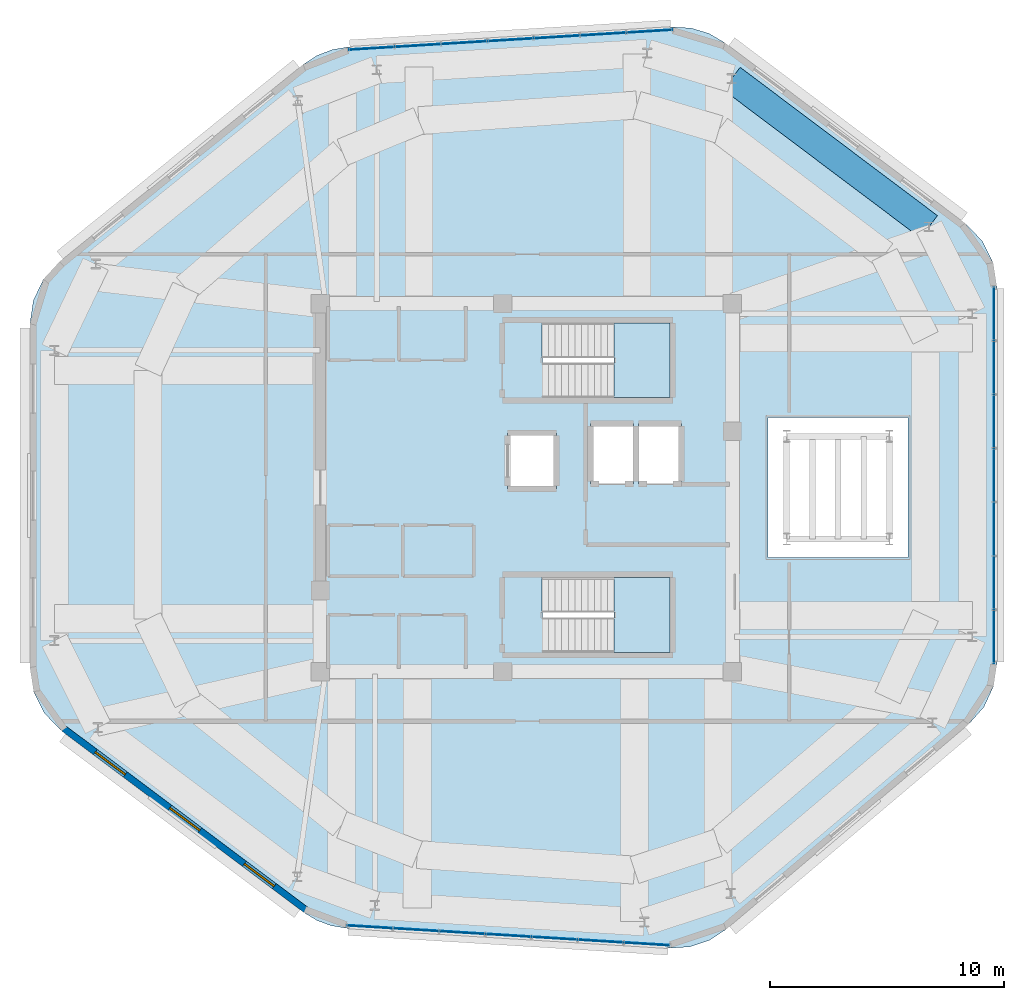
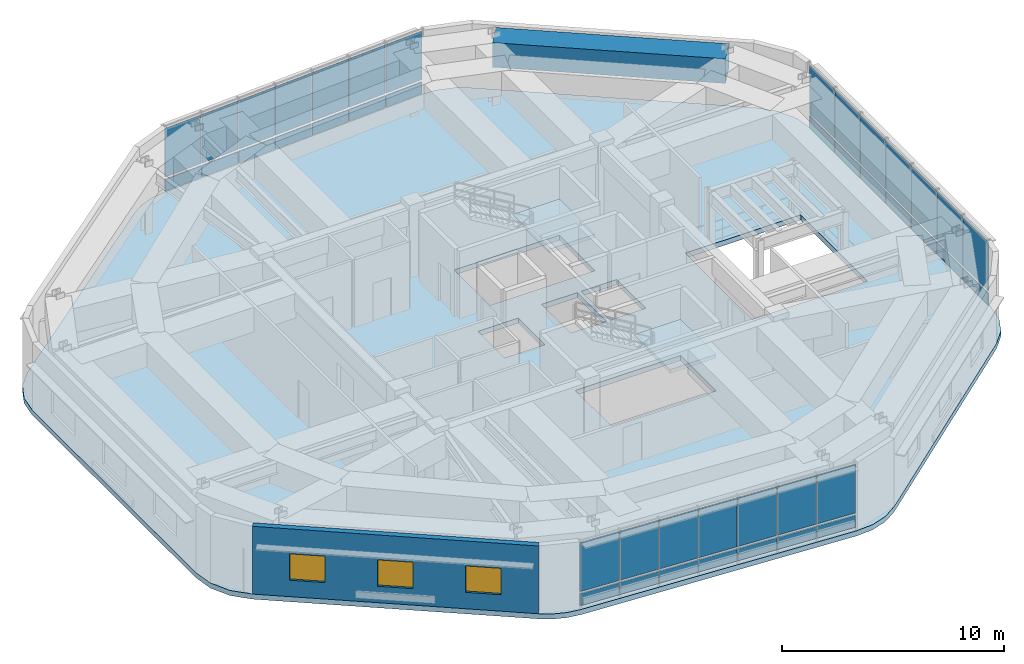
# One storey, part 13 of 17: 42 plates, 3 slabs, 3 windows, 1 beam, 1 wall, 3 openings, 5 elements without a shape of their own.
"""IFC4 building model written with IfcOpenShell, lengths in metres."""

import ifcopenshell
import ifcopenshell.guid

model = None  # the IFC model being written
_history = None  # IfcOwnerHistory: only IFC2X3 demands one
_inside = {}  # id of a spatial element -> (the spatial element, [elements in it])
_under = {}  # id of a project, library or spatial element -> (it, [spatial elements below it])
_declared = {}  # id of a project -> (the project, [libraries it declares])
_typed = {}  # id of a type object -> (the type object, [elements of that type])
_made_of = {}  # id of a material, layer set ... -> (it, [elements and type objects made of it])


def new_model(schema):
    """Start an empty IFC model of exactly this schema.

    Asked for "IFC4X3", IfcOpenShell would pick the latest addendum, in which some entities
    have other attributes; the version numbers below select the first issue.
    IFC2X3 requires an IfcOwnerHistory on every rooted entity: one is made here for all.
    """
    global model, _history
    if schema == "IFC4X3":
        model = ifcopenshell.file(schema_version=(4, 3, 0, 0))
    else:
        model = ifcopenshell.file(schema=schema)
    _inside.clear()
    _under.clear()
    _declared.clear()
    _typed.clear()
    _made_of.clear()
    _history = None
    if model.schema == "IFC2X3":
        org = make("IfcOrganization", Name="unknown")
        user = make(
            "IfcPersonAndOrganization",
            ThePerson=make("IfcPerson", FamilyName="unknown"),
            TheOrganization=org,
        )
        app = make(
            "IfcApplication",
            ApplicationDeveloper=org,
            Version="unknown",
            ApplicationFullName="unknown",
            ApplicationIdentifier="unknown",
        )
        _history = make(
            "IfcOwnerHistory",
            OwningUser=user,
            OwningApplication=app,
            ChangeAction="ADDED",
            CreationDate=0,
        )
    return model


def make(cls, **values):
    """One entity of the class cls with the attributes given. An attribute that is None is left unset."""
    return model.create_entity(
        cls, **{name: value for name, value in values.items() if value is not None}
    )


def rooted(cls, **values):
    """An entity with a GlobalId (a new one), such as an element, a storey or a relation."""
    return make(cls, GlobalId=ifcopenshell.guid.new(), OwnerHistory=_history, **values)


def si_unit(unit_type, name, prefix=None):
    """IfcSIUnit, for example si_unit("LENGTHUNIT", "METRE", prefix="MILLI")."""
    return make("IfcSIUnit", UnitType=unit_type, Prefix=prefix, Name=name)


def assignment(units):
    """IfcUnitAssignment: the units of a project."""
    return None if units is None else make("IfcUnitAssignment", Units=units)


def point(xyz):
    """IfcCartesianPoint."""
    return None if xyz is None else make("IfcCartesianPoint", Coordinates=xyz)


def direction(xyz):
    """IfcDirection."""
    return None if xyz is None else make("IfcDirection", DirectionRatios=xyz)


def frame(location, z_axis=None, x_axis=None):
    """IfcAxis2Placement3D, a coordinate frame: its origin and axes. An axis left out is left unset."""
    return make(
        "IfcAxis2Placement3D",
        Location=point(location),
        Axis=direction(z_axis),
        RefDirection=direction(x_axis),
    )


def frame_2d(location, x_axis=None):
    """IfcAxis2Placement2D, a coordinate frame in the plane: its origin and x axis."""
    return make(
        "IfcAxis2Placement2D", Location=point(location), RefDirection=direction(x_axis)
    )


def origin():
    """The frame at (0, 0, 0) with its axes left unset."""
    return frame((0.0, 0.0, 0.0))


def origin_2d():
    """The frame at (0, 0) in the plane with its x axis left unset."""
    return frame_2d((0.0, 0.0))


def place(relative_to, where):
    """IfcLocalPlacement: puts the frame where relative to a parent placement (None: the world)."""
    return make(
        "IfcLocalPlacement", PlacementRelTo=relative_to, RelativePlacement=where
    )


def context(
    kind, dimensions, precision=None, world=None, true_north=None, identifier=None
):
    """IfcGeometricRepresentationContext, for example the 3D "Model" context."""
    return make(
        "IfcGeometricRepresentationContext",
        ContextIdentifier=identifier,
        ContextType=kind,
        CoordinateSpaceDimension=dimensions,
        Precision=precision,
        WorldCoordinateSystem=world,
        TrueNorth=true_north,
    )


def subcontext(parent, identifier, kind, view, scale=None):
    """IfcGeometricRepresentationSubContext, for example "Body" below "Model"."""
    return make(
        "IfcGeometricRepresentationSubContext",
        ContextIdentifier=identifier,
        ContextType=kind,
        ParentContext=parent,
        TargetScale=scale,
        TargetView=view,
    )


def project(units=None, contexts=None):
    """IfcProject with its units and contexts."""
    return rooted(
        "IfcProject",
        Name="project",
        RepresentationContexts=contexts,
        UnitsInContext=assignment(units),
    )


def spatial(cls, under=None, at=None, **own):
    """A site, building, storey or space (cls), placed at a placement, below another one or the project."""
    s = rooted(cls, ObjectPlacement=at, **own)
    if under is not None:
        _under.setdefault(under.id(), (under, []))[1].append(s)
    return s


def polyline(points):
    """IfcPolyline through the points."""
    return make("IfcPolyline", Points=[point(p) for p in points])


def profile(cls, at=None, kind="AREA", **sizes):
    """A parametric profile (cls). Its sizes go by their IFC names, for example OverallWidth=200.0."""
    return make(cls, ProfileType=kind, Position=at, **sizes)


def rectangle(**sizes):
    """IfcRectangleProfileDef."""
    return profile("IfcRectangleProfileDef", **sizes)


def outline(outer, holes=None, kind="AREA"):
    """IfcArbitraryClosedProfileDef: a profile drawn as a closed curve; with holes, ...WithVoids."""
    if holes is None:
        return make("IfcArbitraryClosedProfileDef", ProfileType=kind, OuterCurve=outer)
    return make(
        "IfcArbitraryProfileDefWithVoids",
        ProfileType=kind,
        OuterCurve=outer,
        InnerCurves=holes,
    )


def extrude(swept, where, along, depth):
    """IfcExtrudedAreaSolid: the profile swept, set in the frame where, extruded along a direction by depth."""
    return make(
        "IfcExtrudedAreaSolid",
        SweptArea=swept,
        Position=where,
        ExtrudedDirection=direction(along),
        Depth=depth,
    )


def shape(context_of_items, identifier, shape_type, items):
    """IfcShapeRepresentation: the items that make up one representation, for example the "Body"."""
    return make(
        "IfcShapeRepresentation",
        ContextOfItems=context_of_items,
        RepresentationIdentifier=identifier,
        RepresentationType=shape_type,
        Items=items,
    )


def material(Name=None, Category=None):
    """IfcMaterial."""
    return make("IfcMaterial", Name=Name, Category=Category)


def layer(
    of_material, thickness, ventilated=None, Name=None, Category=None, Priority=None
):
    """IfcMaterialLayer: one layer of a wall or slab, of a material (None: an air gap)."""
    return make(
        "IfcMaterialLayer",
        Material=of_material,
        LayerThickness=thickness,
        IsVentilated=ventilated,
        Name=Name,
        Category=Category,
        Priority=Priority,
    )


def layer_set(layers, Name=None):
    """IfcMaterialLayerSet."""
    return make("IfcMaterialLayerSet", MaterialLayers=layers, LayerSetName=Name)


def material_profile(
    of_material, cross_section, Name=None, Category=None, Priority=None
):
    """IfcMaterialProfile: a cross section and its material."""
    return make(
        "IfcMaterialProfile",
        Name=Name,
        Material=of_material,
        Profile=cross_section,
        Priority=Priority,
        Category=Category,
    )


def profile_set(profiles, Name=None, composite=None):
    """IfcMaterialProfileSet."""
    return make(
        "IfcMaterialProfileSet",
        Name=Name,
        MaterialProfiles=profiles,
        CompositeProfile=composite,
    )


def made_of(thing, what):
    """Note that an element or type object is made of a material, layer set ...; save() writes the relation."""
    if what is not None:
        _made_of.setdefault(what.id(), (what, []))[1].append(thing)
    return thing


def type_object(cls, material=None, **own):
    """A type object (cls), such as IfcWallType, which elements share."""
    return made_of(rooted(cls, **own), material)


def element(
    cls,
    number,
    at=None,
    inside=None,
    cuts=None,
    type_object=None,
    material=None,
    context=None,
    identifier="Body",
    shape_type=None,
    held_by="IfcProductDefinitionShape",
    body=None,
    shapes=None,
    **own,
):
    """One element of the class cls, such as IfcWall. Its Tag is "e" and its number.

    at: its placement. inside: the storey or other place that contains it. cuts: it is an
    opening in that element (IfcRelVoidsElement). A single representation is given by context,
    identifier, shape_type and body (its items); several are given by shapes. held_by: the class
    of the entity that holds the representations. save() writes the other relations.
    """
    e = rooted(cls, Tag="e%d" % number, ObjectPlacement=at, **own)
    if body is not None:
        shapes = [shape(context, identifier, shape_type, body)]
    if shapes is not None:
        e.Representation = make(held_by, Representations=shapes)
    if inside is not None:
        _inside.setdefault(inside.id(), (inside, []))[1].append(e)
    if cuts is not None:
        rooted(
            "IfcRelVoidsElement", RelatingBuildingElement=cuts, RelatedOpeningElement=e
        )
    if type_object is not None:
        _typed.setdefault(type_object.id(), (type_object, []))[1].append(e)
    return made_of(e, material)


def fill(opening, filler):
    """IfcRelFillsElement: the door or window that sits in an opening."""
    return rooted(
        "IfcRelFillsElement",
        RelatingOpeningElement=opening,
        RelatedBuildingElement=filler,
    )


def aggregate(whole, parts):
    """IfcRelAggregates: a whole, such as a stair, and the parts it consists of."""
    return rooted("IfcRelAggregates", RelatingObject=whole, RelatedObjects=parts)


def save(model, path):
    """Write the relations noted so far, then the file.

    IfcRelAggregates (storeys below a building ...), IfcRelContainedInSpatialStructure (elements
    in a storey), IfcRelDefinesByType, IfcRelAssociatesMaterial and IfcRelDeclares: one each for
    every whole, place, type object, material and project.
    """
    for whole, parts in _under.values():
        aggregate(whole, parts)
    for where, things in _inside.values():
        rooted(
            "IfcRelContainedInSpatialStructure",
            RelatedElements=things,
            RelatingStructure=where,
        )
    for kind, things in _typed.values():
        rooted("IfcRelDefinesByType", RelatedObjects=things, RelatingType=kind)
    for what, things in _made_of.values():
        rooted("IfcRelAssociatesMaterial", RelatedObjects=things, RelatingMaterial=what)
    for by, libraries in _declared.values():
        rooted("IfcRelDeclares", RelatingContext=by, RelatedDefinitions=libraries)
    model.write(path)


model = new_model("IFC4")

# Units and contexts
model_context = context("Model", 3, precision=1e-05, world=origin(), true_north=direction((0.0, 1.0)))
body_context = subcontext(model_context, "Body", "Model", "MODEL_VIEW")
ifc_project = project(units=[si_unit("LENGTHUNIT", "METRE"), si_unit("AREAUNIT", "SQUARE_METRE"), si_unit("VOLUMEUNIT", "CUBIC_METRE"), si_unit("PLANEANGLEUNIT", "RADIAN"), si_unit("MASSUNIT", "GRAM", prefix="KILO")], contexts=[model_context])

# Site, building, storey
site_placement = place(None, origin())
site = spatial("IfcSite", under=ifc_project, at=site_placement, CompositionType="ELEMENT")
building_placement = place(site_placement, origin())
building = spatial("IfcBuilding", under=site, at=building_placement, Name="Zulverin Broadcast Headquarters", CompositionType="ELEMENT")
storey_placement = place(building_placement, frame((0.0, 0.0, 317.39990234375)))
storey = spatial("IfcBuildingStorey", under=building, at=storey_placement, Name="C2", CompositionType="ELEMENT", Elevation=317.39990234375)

# Beam
ifc_material_1 = material(Name="Concrete C50/60", Category="concrete")
ifc_material_profile = material_profile(ifc_material_1, rectangle(XDim=1.199951171875, YDim=1.35009765625, at=origin_2d()), Name="Concrete C50/60", Category="concrete")
ifc_profile_set = profile_set([ifc_material_profile], Name="Concrete C50/60")
beam_type = type_object("IfcBeamType", Name="BM-TG-CRN-1350", PredefinedType="USERDEFINED", material=ifc_profile_set)
beam_placement = place(storey_placement, frame((56.692626953125, 36.36767578125, 3.045166015625), z_axis=(-0.799353528712, 0.600860995684, 0.0), x_axis=(-0.600860995684, -0.799353528712, 0.0)))
element("IfcBeam", 1, at=beam_placement, inside=storey, type_object=beam_type, Name="C2 Perimeter Transfer Ring Girder SP-07", ObjectType="TRANSFER GIRDER", PredefinedType="USERDEFINED", context=body_context, shape_type="SweptSolid", body=[
    extrude(rectangle(XDim=1.199951171875, YDim=1.35009765625, at=origin_2d()), origin(), (0.0, 0.0, 1.0), 10.566650390625),
])

# Curtain wall, plates
ifc_material_2 = material(Name="Crown damper-hall structural glass curtain wall", Category="glass")
curtain_wall_type = type_object("IfcCurtainWallType", Name="CW-CRN", PredefinedType="USERDEFINED", material=ifc_material_2)
curtain_wall_1_placement = place(storey_placement, origin())
curtain_wall_1 = element("IfcCurtainWall", 2, at=curtain_wall_1_placement, inside=storey, type_object=curtain_wall_type, Name="C2 Unitised Curtain Wall CW-C2-E1", ObjectType="UNITISED CURTAIN WALL", PredefinedType="USERDEFINED")
ifc_material_3 = material(Name="Low-E double-glazed pale-silver vision glass", Category="glass")
ifc_layer_1 = layer(ifc_material_3, 0.035888671875, Name="Low-E double-glazed pale-silver vision glass", Category="glass")
ifc_layer_set_1 = layer_set([ifc_layer_1], Name="Low-E double-glazed pale-silver vision glass")
plate_type_1 = type_object("IfcPlateType", Name="CW-PNL-GLZ", PredefinedType="CURTAIN_PANEL", material=ifc_layer_set_1)
plate_1_placement = place(storey_placement, frame((32.7548828125, 6.396240234375, 0.9150390625), z_axis=(0.0, 0.0, 1.0), x_axis=(0.998102696661, -0.061571153301, 0.0)))
plate_1 = element("IfcPlate", 3, at=plate_1_placement, type_object=plate_type_1, Name="CW-C2-E1 Vision Panel 00", PredefinedType="CURTAIN_PANEL", context=body_context, shape_type="SweptSolid", body=[
    extrude(rectangle(XDim=1.940185546875, YDim=0.035888671875, at=origin_2d()), origin(), (0.0, 0.0, 1.0), 2.6650390625),
])
plate_2_placement = place(storey_placement, frame((34.731201171875, 6.2744140625, 0.9150390625), z_axis=(0.0, 0.0, 1.0), x_axis=(0.998102696661, -0.061571153301, 0.0)))
plate_2 = element("IfcPlate", 4, at=plate_2_placement, type_object=plate_type_1, Name="CW-C2-E1 Vision Panel 01", PredefinedType="CURTAIN_PANEL", context=body_context, shape_type="SweptSolid", body=[
    extrude(rectangle(XDim=1.940185546875, YDim=0.035888671875, at=origin_2d()), origin(), (0.0, 0.0, 1.0), 2.6650390625),
])
plate_3_placement = place(storey_placement, frame((36.70751953125, 6.15234375, 0.9150390625), z_axis=(0.0, 0.0, 1.0), x_axis=(0.998102696661, -0.061571153301, 0.0)))
plate_3 = element("IfcPlate", 5, at=plate_3_placement, type_object=plate_type_1, Name="CW-C2-E1 Vision Panel 02", PredefinedType="CURTAIN_PANEL", context=body_context, shape_type="SweptSolid", body=[
    extrude(rectangle(XDim=1.940185546875, YDim=0.035888671875, at=origin_2d()), origin(), (0.0, 0.0, 1.0), 2.6650390625),
])
plate_4_placement = place(storey_placement, frame((38.683837890625, 6.030517578125, 0.9150390625), z_axis=(0.0, 0.0, 1.0), x_axis=(0.998102696661, -0.061571153301, 0.0)))
plate_4 = element("IfcPlate", 6, at=plate_4_placement, type_object=plate_type_1, Name="CW-C2-E1 Vision Panel 03", PredefinedType="CURTAIN_PANEL", context=body_context, shape_type="SweptSolid", body=[
    extrude(rectangle(XDim=1.940185546875, YDim=0.035888671875, at=origin_2d()), origin(), (0.0, 0.0, 1.0), 2.6650390625),
])
plate_5_placement = place(storey_placement, frame((40.66015625, 5.90869140625, 0.9150390625), z_axis=(0.0, 0.0, 1.0), x_axis=(0.998102696661, -0.061571153301, 0.0)))
plate_5 = element("IfcPlate", 7, at=plate_5_placement, type_object=plate_type_1, Name="CW-C2-E1 Vision Panel 04", PredefinedType="CURTAIN_PANEL", context=body_context, shape_type="SweptSolid", body=[
    extrude(rectangle(XDim=1.940185546875, YDim=0.035888671875, at=origin_2d()), origin(), (0.0, 0.0, 1.0), 2.6650390625),
])
plate_6_placement = place(storey_placement, frame((42.636474609375, 5.78662109375, 0.9150390625), z_axis=(0.0, 0.0, 1.0), x_axis=(0.998102696661, -0.061571153301, 0.0)))
plate_6 = element("IfcPlate", 8, at=plate_6_placement, type_object=plate_type_1, Name="CW-C2-E1 Vision Panel 05", PredefinedType="CURTAIN_PANEL", context=body_context, shape_type="SweptSolid", body=[
    extrude(rectangle(XDim=1.940185546875, YDim=0.035888671875, at=origin_2d()), origin(), (0.0, 0.0, 1.0), 2.6650390625),
])
plate_7_placement = place(storey_placement, frame((44.61279296875, 5.664794921875, 0.9150390625), z_axis=(0.0, 0.0, 1.0), x_axis=(0.998102696661, -0.061571153301, 0.0)))
plate_7 = element("IfcPlate", 9, at=plate_7_placement, type_object=plate_type_1, Name="CW-C2-E1 Vision Panel 06", PredefinedType="CURTAIN_PANEL", context=body_context, shape_type="SweptSolid", body=[
    extrude(rectangle(XDim=1.940185546875, YDim=0.035888671875, at=origin_2d()), origin(), (0.0, 0.0, 1.0), 2.6650390625),
])

curtain_wall_2_placement = place(storey_placement, origin())
curtain_wall_2 = element("IfcCurtainWall", 10, at=curtain_wall_2_placement, inside=storey, type_object=curtain_wall_type, Name="C2 Unitised Curtain Wall CW-C2-E3", ObjectType="UNITISED CURTAIN WALL", PredefinedType="USERDEFINED")
plate_8_placement = place(storey_placement, frame((59.47998046875, 18.821533203125, 0.9150390625), z_axis=(0.0, 0.0, 1.0), x_axis=(0.0, 1.0, 0.0)))
plate_8 = element("IfcPlate", 11, at=plate_8_placement, type_object=plate_type_1, Name="CW-C2-E3 Vision Panel 00", PredefinedType="CURTAIN_PANEL", context=body_context, shape_type="SweptSolid", body=[
    extrude(rectangle(XDim=2.26416015625, YDim=0.035888671875, at=origin_2d()), origin(), (0.0, 0.0, 1.0), 2.6650390625),
])
plate_9_placement = place(storey_placement, frame((59.47998046875, 21.125732421875, 0.9150390625), z_axis=(0.0, 0.0, 1.0), x_axis=(0.0, 1.0, 0.0)))
plate_9 = element("IfcPlate", 12, at=plate_9_placement, type_object=plate_type_1, Name="CW-C2-E3 Vision Panel 01", PredefinedType="CURTAIN_PANEL", context=body_context, shape_type="SweptSolid", body=[
    extrude(rectangle(XDim=2.26416015625, YDim=0.035888671875, at=origin_2d()), origin(), (0.0, 0.0, 1.0), 2.6650390625),
])
plate_10_placement = place(storey_placement, frame((59.47998046875, 23.4296875, 0.9150390625), z_axis=(0.0, 0.0, 1.0), x_axis=(0.0, 1.0, 0.0)))
plate_10 = element("IfcPlate", 13, at=plate_10_placement, type_object=plate_type_1, Name="CW-C2-E3 Vision Panel 02", PredefinedType="CURTAIN_PANEL", context=body_context, shape_type="SweptSolid", body=[
    extrude(rectangle(XDim=2.26416015625, YDim=0.035888671875, at=origin_2d()), origin(), (0.0, 0.0, 1.0), 2.6650390625),
])
plate_11_placement = place(storey_placement, frame((59.47998046875, 25.73388671875, 0.9150390625), z_axis=(0.0, 0.0, 1.0), x_axis=(0.0, 1.0, 0.0)))
plate_11 = element("IfcPlate", 14, at=plate_11_placement, type_object=plate_type_1, Name="CW-C2-E3 Vision Panel 03", PredefinedType="CURTAIN_PANEL", context=body_context, shape_type="SweptSolid", body=[
    extrude(rectangle(XDim=2.26416015625, YDim=0.035888671875, at=origin_2d()), origin(), (0.0, 0.0, 1.0), 2.6650390625),
])
plate_12_placement = place(storey_placement, frame((59.47998046875, 28.0380859375, 0.9150390625), z_axis=(0.0, 0.0, 1.0), x_axis=(0.0, 1.0, 0.0)))
plate_12 = element("IfcPlate", 15, at=plate_12_placement, type_object=plate_type_1, Name="CW-C2-E3 Vision Panel 04", PredefinedType="CURTAIN_PANEL", context=body_context, shape_type="SweptSolid", body=[
    extrude(rectangle(XDim=2.26416015625, YDim=0.035888671875, at=origin_2d()), origin(), (0.0, 0.0, 1.0), 2.6650390625),
])
plate_13_placement = place(storey_placement, frame((59.47998046875, 30.342041015625, 0.9150390625), z_axis=(0.0, 0.0, 1.0), x_axis=(0.0, 1.0, 0.0)))
plate_13 = element("IfcPlate", 16, at=plate_13_placement, type_object=plate_type_1, Name="CW-C2-E3 Vision Panel 05", PredefinedType="CURTAIN_PANEL", context=body_context, shape_type="SweptSolid", body=[
    extrude(rectangle(XDim=2.26416015625, YDim=0.035888671875, at=origin_2d()), origin(), (0.0, 0.0, 1.0), 2.6650390625),
])
plate_14_placement = place(storey_placement, frame((59.47998046875, 32.646240234375, 0.9150390625), z_axis=(0.0, 0.0, 1.0), x_axis=(0.0, 1.0, 0.0)))
plate_14 = element("IfcPlate", 17, at=plate_14_placement, type_object=plate_type_1, Name="CW-C2-E3 Vision Panel 06", PredefinedType="CURTAIN_PANEL", context=body_context, shape_type="SweptSolid", body=[
    extrude(rectangle(XDim=2.26416015625, YDim=0.035888671875, at=origin_2d()), origin(), (0.0, 0.0, 1.0), 2.6650390625),
])

curtain_wall_3_placement = place(storey_placement, origin())
curtain_wall_3 = element("IfcCurtainWall", 18, at=curtain_wall_3_placement, inside=storey, type_object=curtain_wall_type, Name="C2 Unitised Curtain Wall CW-C2-E5", ObjectType="UNITISED CURTAIN WALL", PredefinedType="USERDEFINED")
plate_15_placement = place(storey_placement, frame((44.7216796875, 44.741943359375, 0.9150390625), z_axis=(0.0, 0.0, 1.0), x_axis=(-0.998102804121, -0.061569411283, 0.0)))
plate_15 = element("IfcPlate", 19, at=plate_15_placement, type_object=plate_type_1, Name="CW-C2-E5 Vision Panel 00", PredefinedType="CURTAIN_PANEL", context=body_context, shape_type="SweptSolid", body=[
    extrude(rectangle(XDim=1.946044921875, YDim=0.035888671875, at=origin_2d()), origin(), (0.0, 0.0, 1.0), 2.6650390625),
])
plate_16_placement = place(storey_placement, frame((42.7392578125, 44.61962890625, 0.9150390625), z_axis=(0.0, 0.0, 1.0), x_axis=(-0.998102804121, -0.061569411283, 0.0)))
plate_16 = element("IfcPlate", 20, at=plate_16_placement, type_object=plate_type_1, Name="CW-C2-E5 Vision Panel 01", PredefinedType="CURTAIN_PANEL", context=body_context, shape_type="SweptSolid", body=[
    extrude(rectangle(XDim=1.946044921875, YDim=0.035888671875, at=origin_2d()), origin(), (0.0, 0.0, 1.0), 2.6650390625),
])
plate_17_placement = place(storey_placement, frame((40.7568359375, 44.497314453125, 0.9150390625), z_axis=(0.0, 0.0, 1.0), x_axis=(-0.998102804121, -0.061569411283, 0.0)))
plate_17 = element("IfcPlate", 21, at=plate_17_placement, type_object=plate_type_1, Name="CW-C2-E5 Vision Panel 02", PredefinedType="CURTAIN_PANEL", context=body_context, shape_type="SweptSolid", body=[
    extrude(rectangle(XDim=1.946044921875, YDim=0.035888671875, at=origin_2d()), origin(), (0.0, 0.0, 1.0), 2.6650390625),
])
plate_18_placement = place(storey_placement, frame((38.7744140625, 44.375, 0.9150390625), z_axis=(0.0, 0.0, 1.0), x_axis=(-0.998102804121, -0.061569411283, 0.0)))
plate_18 = element("IfcPlate", 22, at=plate_18_placement, type_object=plate_type_1, Name="CW-C2-E5 Vision Panel 03", PredefinedType="CURTAIN_PANEL", context=body_context, shape_type="SweptSolid", body=[
    extrude(rectangle(XDim=1.946044921875, YDim=0.035888671875, at=origin_2d()), origin(), (0.0, 0.0, 1.0), 2.6650390625),
])
plate_19_placement = place(storey_placement, frame((36.7919921875, 44.252685546875, 0.9150390625), z_axis=(0.0, 0.0, 1.0), x_axis=(-0.998102804121, -0.061569411283, 0.0)))
plate_19 = element("IfcPlate", 23, at=plate_19_placement, type_object=plate_type_1, Name="CW-C2-E5 Vision Panel 04", PredefinedType="CURTAIN_PANEL", context=body_context, shape_type="SweptSolid", body=[
    extrude(rectangle(XDim=1.946044921875, YDim=0.035888671875, at=origin_2d()), origin(), (0.0, 0.0, 1.0), 2.6650390625),
])
plate_20_placement = place(storey_placement, frame((34.809814453125, 44.130615234375, 0.9150390625), z_axis=(0.0, 0.0, 1.0), x_axis=(-0.998102804121, -0.061569411283, 0.0)))
plate_20 = element("IfcPlate", 24, at=plate_20_placement, type_object=plate_type_1, Name="CW-C2-E5 Vision Panel 05", PredefinedType="CURTAIN_PANEL", context=body_context, shape_type="SweptSolid", body=[
    extrude(rectangle(XDim=1.946044921875, YDim=0.035888671875, at=origin_2d()), origin(), (0.0, 0.0, 1.0), 2.6650390625),
])
plate_21_placement = place(storey_placement, frame((32.827392578125, 44.00830078125, 0.9150390625), z_axis=(0.0, 0.0, 1.0), x_axis=(-0.998102804121, -0.061569411283, 0.0)))
plate_21 = element("IfcPlate", 25, at=plate_21_placement, type_object=plate_type_1, Name="CW-C2-E5 Vision Panel 06", PredefinedType="CURTAIN_PANEL", context=body_context, shape_type="SweptSolid", body=[
    extrude(rectangle(XDim=1.946044921875, YDim=0.035888671875, at=origin_2d()), origin(), (0.0, 0.0, 1.0), 2.6650390625),
])

# Plate
ifc_material_4 = material(Name="Insulated brushed pale-aluminium spandrel cassette", Category="aluminium")
ifc_layer_2 = layer(ifc_material_4, 0.050048828125, Name="Insulated brushed pale-aluminium spandrel cassette", Category="aluminium")
ifc_layer_set_2 = layer_set([ifc_layer_2], Name="Insulated brushed pale-aluminium spandrel cassette")
plate_type_2 = type_object("IfcPlateType", Name="CW-PNL-SPN", PredefinedType="CURTAIN_PANEL", material=ifc_layer_set_2)
plate_22_placement = place(storey_placement, frame((32.7548828125, 6.396240234375, 0.14013671875), z_axis=(0.0, 0.0, 1.0), x_axis=(0.998102696661, -0.061571153301, 0.0)))
plate_22 = element("IfcPlate", 26, at=plate_22_placement, type_object=plate_type_2, Name="CW-C2-E1 Spandrel Cassette 00", PredefinedType="CURTAIN_PANEL", context=body_context, shape_type="SweptSolid", body=[
    extrude(rectangle(XDim=1.940185546875, YDim=0.050048828125, at=origin_2d()), origin(), (0.0, 0.0, 1.0), 0.64501953125),
])

plate_23_placement = place(storey_placement, frame((34.731201171875, 6.2744140625, 0.14013671875), z_axis=(0.0, 0.0, 1.0), x_axis=(0.998102696661, -0.061571153301, 0.0)))
plate_23 = element("IfcPlate", 27, at=plate_23_placement, type_object=plate_type_2, Name="CW-C2-E1 Spandrel Cassette 01", PredefinedType="CURTAIN_PANEL", context=body_context, shape_type="SweptSolid", body=[
    extrude(rectangle(XDim=1.940185546875, YDim=0.050048828125, at=origin_2d()), origin(), (0.0, 0.0, 1.0), 0.64501953125),
])

plate_24_placement = place(storey_placement, frame((36.70751953125, 6.15234375, 0.14013671875), z_axis=(0.0, 0.0, 1.0), x_axis=(0.998102696661, -0.061571153301, 0.0)))
plate_24 = element("IfcPlate", 28, at=plate_24_placement, type_object=plate_type_2, Name="CW-C2-E1 Spandrel Cassette 02", PredefinedType="CURTAIN_PANEL", context=body_context, shape_type="SweptSolid", body=[
    extrude(rectangle(XDim=1.940185546875, YDim=0.050048828125, at=origin_2d()), origin(), (0.0, 0.0, 1.0), 0.64501953125),
])

plate_25_placement = place(storey_placement, frame((38.683837890625, 6.030517578125, 0.14013671875), z_axis=(0.0, 0.0, 1.0), x_axis=(0.998102696661, -0.061571153301, 0.0)))
plate_25 = element("IfcPlate", 29, at=plate_25_placement, type_object=plate_type_2, Name="CW-C2-E1 Spandrel Cassette 03", PredefinedType="CURTAIN_PANEL", context=body_context, shape_type="SweptSolid", body=[
    extrude(rectangle(XDim=1.940185546875, YDim=0.050048828125, at=origin_2d()), origin(), (0.0, 0.0, 1.0), 0.64501953125),
])

plate_26_placement = place(storey_placement, frame((40.66015625, 5.90869140625, 0.14013671875), z_axis=(0.0, 0.0, 1.0), x_axis=(0.998102696661, -0.061571153301, 0.0)))
plate_26 = element("IfcPlate", 30, at=plate_26_placement, type_object=plate_type_2, Name="CW-C2-E1 Spandrel Cassette 04", PredefinedType="CURTAIN_PANEL", context=body_context, shape_type="SweptSolid", body=[
    extrude(rectangle(XDim=1.940185546875, YDim=0.050048828125, at=origin_2d()), origin(), (0.0, 0.0, 1.0), 0.64501953125),
])

plate_27_placement = place(storey_placement, frame((42.636474609375, 5.78662109375, 0.14013671875), z_axis=(0.0, 0.0, 1.0), x_axis=(0.998102696661, -0.061571153301, 0.0)))
plate_27 = element("IfcPlate", 31, at=plate_27_placement, type_object=plate_type_2, Name="CW-C2-E1 Spandrel Cassette 05", PredefinedType="CURTAIN_PANEL", context=body_context, shape_type="SweptSolid", body=[
    extrude(rectangle(XDim=1.940185546875, YDim=0.050048828125, at=origin_2d()), origin(), (0.0, 0.0, 1.0), 0.64501953125),
])

plate_28_placement = place(storey_placement, frame((44.61279296875, 5.664794921875, 0.14013671875), z_axis=(0.0, 0.0, 1.0), x_axis=(0.998102696661, -0.061571153301, 0.0)))
plate_28 = element("IfcPlate", 32, at=plate_28_placement, type_object=plate_type_2, Name="CW-C2-E1 Spandrel Cassette 06", PredefinedType="CURTAIN_PANEL", context=body_context, shape_type="SweptSolid", body=[
    extrude(rectangle(XDim=1.940185546875, YDim=0.050048828125, at=origin_2d()), origin(), (0.0, 0.0, 1.0), 0.64501953125),
])

aggregate(curtain_wall_1, [plate_22, plate_1, plate_23, plate_2, plate_24, plate_3, plate_25, plate_4, plate_26, plate_5, plate_27, plate_6, plate_28, plate_7])

plate_29_placement = place(storey_placement, frame((59.47998046875, 18.821533203125, 0.14013671875), z_axis=(0.0, 0.0, 1.0), x_axis=(0.0, 1.0, 0.0)))
plate_29 = element("IfcPlate", 33, at=plate_29_placement, type_object=plate_type_2, Name="CW-C2-E3 Spandrel Cassette 00", PredefinedType="CURTAIN_PANEL", context=body_context, shape_type="SweptSolid", body=[
    extrude(rectangle(XDim=2.26416015625, YDim=0.050048828125, at=origin_2d()), origin(), (0.0, 0.0, 1.0), 0.64501953125),
])

plate_30_placement = place(storey_placement, frame((59.47998046875, 21.125732421875, 0.14013671875), z_axis=(0.0, 0.0, 1.0), x_axis=(0.0, 1.0, 0.0)))
plate_30 = element("IfcPlate", 34, at=plate_30_placement, type_object=plate_type_2, Name="CW-C2-E3 Spandrel Cassette 01", PredefinedType="CURTAIN_PANEL", context=body_context, shape_type="SweptSolid", body=[
    extrude(rectangle(XDim=2.26416015625, YDim=0.050048828125, at=origin_2d()), origin(), (0.0, 0.0, 1.0), 0.64501953125),
])

plate_31_placement = place(storey_placement, frame((59.47998046875, 23.4296875, 0.14013671875), z_axis=(0.0, 0.0, 1.0), x_axis=(0.0, 1.0, 0.0)))
plate_31 = element("IfcPlate", 35, at=plate_31_placement, type_object=plate_type_2, Name="CW-C2-E3 Spandrel Cassette 02", PredefinedType="CURTAIN_PANEL", context=body_context, shape_type="SweptSolid", body=[
    extrude(rectangle(XDim=2.26416015625, YDim=0.050048828125, at=origin_2d()), origin(), (0.0, 0.0, 1.0), 0.64501953125),
])

plate_32_placement = place(storey_placement, frame((59.47998046875, 25.73388671875, 0.14013671875), z_axis=(0.0, 0.0, 1.0), x_axis=(0.0, 1.0, 0.0)))
plate_32 = element("IfcPlate", 36, at=plate_32_placement, type_object=plate_type_2, Name="CW-C2-E3 Spandrel Cassette 03", PredefinedType="CURTAIN_PANEL", context=body_context, shape_type="SweptSolid", body=[
    extrude(rectangle(XDim=2.26416015625, YDim=0.050048828125, at=origin_2d()), origin(), (0.0, 0.0, 1.0), 0.64501953125),
])

plate_33_placement = place(storey_placement, frame((59.47998046875, 28.0380859375, 0.14013671875), z_axis=(0.0, 0.0, 1.0), x_axis=(0.0, 1.0, 0.0)))
plate_33 = element("IfcPlate", 37, at=plate_33_placement, type_object=plate_type_2, Name="CW-C2-E3 Spandrel Cassette 04", PredefinedType="CURTAIN_PANEL", context=body_context, shape_type="SweptSolid", body=[
    extrude(rectangle(XDim=2.26416015625, YDim=0.050048828125, at=origin_2d()), origin(), (0.0, 0.0, 1.0), 0.64501953125),
])

plate_34_placement = place(storey_placement, frame((59.47998046875, 30.342041015625, 0.14013671875), z_axis=(0.0, 0.0, 1.0), x_axis=(0.0, 1.0, 0.0)))
plate_34 = element("IfcPlate", 38, at=plate_34_placement, type_object=plate_type_2, Name="CW-C2-E3 Spandrel Cassette 05", PredefinedType="CURTAIN_PANEL", context=body_context, shape_type="SweptSolid", body=[
    extrude(rectangle(XDim=2.26416015625, YDim=0.050048828125, at=origin_2d()), origin(), (0.0, 0.0, 1.0), 0.64501953125),
])

plate_35_placement = place(storey_placement, frame((59.47998046875, 32.646240234375, 0.14013671875), z_axis=(0.0, 0.0, 1.0), x_axis=(0.0, 1.0, 0.0)))
plate_35 = element("IfcPlate", 39, at=plate_35_placement, type_object=plate_type_2, Name="CW-C2-E3 Spandrel Cassette 06", PredefinedType="CURTAIN_PANEL", context=body_context, shape_type="SweptSolid", body=[
    extrude(rectangle(XDim=2.26416015625, YDim=0.050048828125, at=origin_2d()), origin(), (0.0, 0.0, 1.0), 0.64501953125),
])

aggregate(curtain_wall_2, [plate_29, plate_8, plate_30, plate_9, plate_31, plate_10, plate_32, plate_11, plate_33, plate_12, plate_34, plate_13, plate_35, plate_14])

plate_36_placement = place(storey_placement, frame((44.7216796875, 44.741943359375, 0.14013671875), z_axis=(0.0, 0.0, 1.0), x_axis=(-0.998102804121, -0.061569411283, 0.0)))
plate_36 = element("IfcPlate", 40, at=plate_36_placement, type_object=plate_type_2, Name="CW-C2-E5 Spandrel Cassette 00", PredefinedType="CURTAIN_PANEL", context=body_context, shape_type="SweptSolid", body=[
    extrude(rectangle(XDim=1.946044921875, YDim=0.050048828125, at=origin_2d()), origin(), (0.0, 0.0, 1.0), 0.64501953125),
])

plate_37_placement = place(storey_placement, frame((42.7392578125, 44.61962890625, 0.14013671875), z_axis=(0.0, 0.0, 1.0), x_axis=(-0.998102804121, -0.061569411283, 0.0)))
plate_37 = element("IfcPlate", 41, at=plate_37_placement, type_object=plate_type_2, Name="CW-C2-E5 Spandrel Cassette 01", PredefinedType="CURTAIN_PANEL", context=body_context, shape_type="SweptSolid", body=[
    extrude(rectangle(XDim=1.946044921875, YDim=0.050048828125, at=origin_2d()), origin(), (0.0, 0.0, 1.0), 0.64501953125),
])

plate_38_placement = place(storey_placement, frame((40.7568359375, 44.497314453125, 0.14013671875), z_axis=(0.0, 0.0, 1.0), x_axis=(-0.998102804121, -0.061569411283, 0.0)))
plate_38 = element("IfcPlate", 42, at=plate_38_placement, type_object=plate_type_2, Name="CW-C2-E5 Spandrel Cassette 02", PredefinedType="CURTAIN_PANEL", context=body_context, shape_type="SweptSolid", body=[
    extrude(rectangle(XDim=1.946044921875, YDim=0.050048828125, at=origin_2d()), origin(), (0.0, 0.0, 1.0), 0.64501953125),
])

plate_39_placement = place(storey_placement, frame((38.7744140625, 44.375, 0.14013671875), z_axis=(0.0, 0.0, 1.0), x_axis=(-0.998102804121, -0.061569411283, 0.0)))
plate_39 = element("IfcPlate", 43, at=plate_39_placement, type_object=plate_type_2, Name="CW-C2-E5 Spandrel Cassette 03", PredefinedType="CURTAIN_PANEL", context=body_context, shape_type="SweptSolid", body=[
    extrude(rectangle(XDim=1.946044921875, YDim=0.050048828125, at=origin_2d()), origin(), (0.0, 0.0, 1.0), 0.64501953125),
])

plate_40_placement = place(storey_placement, frame((36.7919921875, 44.252685546875, 0.14013671875), z_axis=(0.0, 0.0, 1.0), x_axis=(-0.998102804121, -0.061569411283, 0.0)))
plate_40 = element("IfcPlate", 44, at=plate_40_placement, type_object=plate_type_2, Name="CW-C2-E5 Spandrel Cassette 04", PredefinedType="CURTAIN_PANEL", context=body_context, shape_type="SweptSolid", body=[
    extrude(rectangle(XDim=1.946044921875, YDim=0.050048828125, at=origin_2d()), origin(), (0.0, 0.0, 1.0), 0.64501953125),
])

plate_41_placement = place(storey_placement, frame((34.809814453125, 44.130615234375, 0.14013671875), z_axis=(0.0, 0.0, 1.0), x_axis=(-0.998102804121, -0.061569411283, 0.0)))
plate_41 = element("IfcPlate", 45, at=plate_41_placement, type_object=plate_type_2, Name="CW-C2-E5 Spandrel Cassette 05", PredefinedType="CURTAIN_PANEL", context=body_context, shape_type="SweptSolid", body=[
    extrude(rectangle(XDim=1.946044921875, YDim=0.050048828125, at=origin_2d()), origin(), (0.0, 0.0, 1.0), 0.64501953125),
])

plate_42_placement = place(storey_placement, frame((32.827392578125, 44.00830078125, 0.14013671875), z_axis=(0.0, 0.0, 1.0), x_axis=(-0.998102804121, -0.061569411283, 0.0)))
plate_42 = element("IfcPlate", 46, at=plate_42_placement, type_object=plate_type_2, Name="CW-C2-E5 Spandrel Cassette 06", PredefinedType="CURTAIN_PANEL", context=body_context, shape_type="SweptSolid", body=[
    extrude(rectangle(XDim=1.946044921875, YDim=0.050048828125, at=origin_2d()), origin(), (0.0, 0.0, 1.0), 0.64501953125),
])

aggregate(curtain_wall_3, [plate_36, plate_15, plate_37, plate_16, plate_38, plate_17, plate_39, plate_18, plate_40, plate_19, plate_41, plate_20, plate_42, plate_21])

# Slab
ifc_material_5 = material(Name="Concrete C40/50", Category="concrete")
ifc_layer_3 = layer(ifc_material_5, 0.280029296875, Name="Concrete C40/50", Category="concrete")
ifc_layer_set_3 = layer_set([ifc_layer_3], Name="Concrete C40/50")
slab_type_1 = type_object("IfcSlabType", Name="SLB-CRN-280", PredefinedType="FLOOR", material=ifc_layer_set_3)
slab_1_placement = place(storey_placement, frame((0.0, 0.0, -0.27978515625)))
element("IfcSlab", 47, at=slab_1_placement, inside=storey, type_object=slab_type_1, Name="C2 Main Structural Floor Slab", PredefinedType="FLOOR", context=body_context, shape_type="SweptSolid", body=[
    extrude(outline(polyline([(29.929931640625, 7.010009765625), (30.4921875, 6.668212890625), (31.109619140625, 6.441162109375), (31.759521484375, 6.33740234375), (45.593505859375, 5.48388671875), (46.45458984375, 5.540771484375), (47.27392578125, 5.812255859375), (47.998291015625, 6.281494140625), (58.3955078125, 15.073486328125), (59.04541015625, 15.80859375), (59.45849609375, 16.698486328125), (59.60009765625, 17.669677734375), (59.60009765625, 33.79833984375), (59.439208984375, 34.831298828125), (58.97216796875, 35.766845703125), (58.242919921875, 36.51611328125), (47.95751953125, 44.2470703125), (47.267333984375, 44.648681640625), (46.502685546875, 44.878173828125), (45.705322265625, 44.9228515625), (31.828857421875, 44.06689453125), (31.13818359375, 43.9521484375), (30.48583984375, 43.6982421875), (29.899169921875, 43.31640625), (19.461181640625, 34.86865234375), (18.781494140625, 34.12744140625), (18.3486328125, 33.22021484375), (18.199951171875, 32.2255859375), (18.199951171875, 17.5009765625), (18.361328125, 16.466064453125), (18.829833984375, 15.529541015625), (19.56103515625, 14.780029296875), (29.929931640625, 7.010009765625)]), holes=[polyline([(40.155029296875, 30.75), (40.13037109375, 30.75), (40.13037109375, 32.25), (45.60009765625, 32.25), (45.60009765625, 29.050048828125), (40.155029296875, 29.050048828125), (40.155029296875, 30.75)]), polyline([(40.155029296875, 19.85009765625), (40.13037109375, 19.85009765625), (40.13037109375, 21.35009765625), (45.60009765625, 21.35009765625), (45.60009765625, 18.14990234375), (40.155029296875, 18.14990234375), (40.155029296875, 19.85009765625)]), polyline([(42.199951171875, 25.35009765625), (44.050048828125, 25.35009765625), (44.050048828125, 27.949951171875), (42.199951171875, 27.949951171875), (42.199951171875, 25.35009765625)]), polyline([(44.25, 25.35009765625), (46.10009765625, 25.35009765625), (46.10009765625, 27.949951171875), (44.25, 27.949951171875), (44.25, 25.35009765625)]), polyline([(38.64990234375, 25.14990234375), (40.75, 25.14990234375), (40.75, 27.550048828125), (38.64990234375, 27.550048828125), (38.64990234375, 25.14990234375)]), polyline([(49.800048828125, 22.199951171875), (55.800048828125, 22.199951171875), (55.800048828125, 28.199951171875), (49.800048828125, 28.199951171875), (49.800048828125, 22.199951171875)])]), origin(), (0.0, 0.0, 1.0), 0.27978515625),
])

# Stair, slab
stair_type = type_object("IfcStairType", Name="ST-CORE-1500", PredefinedType="HALF_TURN_STAIR", material=ifc_material_5)
stair_1_placement = place(storey_placement, origin())
stair_1 = element("IfcStair", 48, at=stair_1_placement, inside=storey, type_object=stair_type, Name="C2 Core Exit Stair ST-1", PredefinedType="HALF_TURN_STAIR")
ifc_layer_4 = layer(ifc_material_5, 0.199951171875, Name="Concrete C40/50", Category="concrete")
ifc_layer_set_4 = layer_set([ifc_layer_4], Name="Concrete C40/50")
slab_type_2 = type_object("IfcSlabType", Name="SLB-ST-LND200", PredefinedType="LANDING", material=ifc_layer_set_4)
slab_2_placement = place(storey_placement, frame((0.0, 0.0, 1.800048828125)))
slab_2 = element("IfcSlab", 49, at=slab_2_placement, type_object=slab_type_2, Name="ST-1 landing 1", PredefinedType="LANDING", context=body_context, shape_type="SweptSolid", body=[
    extrude(outline(polyline([(43.2099609375, 29.050048828125), (45.60009765625, 29.050048828125), (45.60009765625, 32.25), (43.2099609375, 32.25), (43.2099609375, 29.050048828125)])), origin(), (0.0, 0.0, 1.0), 0.199951171875),
])
aggregate(stair_1, [slab_2])

stair_2_placement = place(storey_placement, origin())
stair_2 = element("IfcStair", 50, at=stair_2_placement, inside=storey, type_object=stair_type, Name="C2 Core Exit Stair ST-2", PredefinedType="HALF_TURN_STAIR")
slab_3_placement = place(storey_placement, frame((0.0, 0.0, 1.800048828125)))
slab_3 = element("IfcSlab", 51, at=slab_3_placement, type_object=slab_type_2, Name="ST-2 landing 1", PredefinedType="LANDING", context=body_context, shape_type="SweptSolid", body=[
    extrude(outline(polyline([(43.2099609375, 18.14990234375), (45.60009765625, 18.14990234375), (45.60009765625, 21.35009765625), (43.2099609375, 21.35009765625), (43.2099609375, 18.14990234375)])), origin(), (0.0, 0.0, 1.0), 0.199951171875),
])
aggregate(stair_2, [slab_3])

# Wall, openings, windows
ifc_material_6 = material(Name="Insulated pale-metal clad concrete spandrel C40/50", Category="concrete")
ifc_layer_5 = layer(ifc_material_6, 0.280029296875, Name="Insulated pale-metal clad concrete spandrel C40/50", Category="concrete")
ifc_layer_set_5 = layer_set([ifc_layer_5], Name="Insulated pale-metal clad concrete spandrel C40/50")
wall_type = type_object("IfcWallType", Name="WL-EXT-280", PredefinedType="STANDARD", material=ifc_layer_set_5)
wall_placement = place(storey_placement, frame((19.64501953125, 14.89208984375, 0.0), z_axis=(0.0, 0.0, 1.0), x_axis=(0.800246388275, -0.599671341697, 0.0)))
wall = element("IfcWall", 52, at=wall_placement, inside=storey, type_object=wall_type, Name="C2 Pale-Metal Clad Spandrel Wall 8", PredefinedType="STANDARD", context=body_context, shape_type="SweptSolid", body=[
    extrude(rectangle(XDim=12.95703125, YDim=0.280029296875, at=frame_2d((6.478515625, 0.0))), origin(), (0.0, 0.0, 1.0), 3.72021484375),
])
opening_1_placement = place(wall_placement, frame((1.69287109375, 0.0, 0.89990234375)))
opening_1 = element("IfcOpeningElement", 53, at=opening_1_placement, cuts=wall, Name="Opening W-C2-E81", PredefinedType="OPENING", context=body_context, shape_type="SweptSolid", body=[
    extrude(rectangle(XDim=1.60009765625, YDim=1.449951171875, at=frame_2d((0.800048828125, 0.72509765625))), frame((0.0, 0.14990234375, 0.0), z_axis=(0.0, -1.0, 0.0), x_axis=(1.0, 0.0, 0.0)), (0.0, 0.0, 1.0), 0.300048828125),
])
opening_2_placement = place(wall_placement, frame((5.678466796875, 0.0, 0.89990234375)))
opening_2 = element("IfcOpeningElement", 54, at=opening_2_placement, cuts=wall, Name="Opening W-C2-E82", PredefinedType="OPENING", context=body_context, shape_type="SweptSolid", body=[
    extrude(rectangle(XDim=1.60009765625, YDim=1.449951171875, at=frame_2d((0.800048828125, 0.72509765625))), frame((0.0, 0.14990234375, 0.0), z_axis=(0.0, -1.0, 0.0), x_axis=(1.0, 0.0, 0.0)), (0.0, 0.0, 1.0), 0.300048828125),
])
opening_3_placement = place(wall_placement, frame((9.664306640625, 0.0, 0.89990234375)))
opening_3 = element("IfcOpeningElement", 55, at=opening_3_placement, cuts=wall, Name="Opening W-C2-E83", PredefinedType="OPENING", context=body_context, shape_type="SweptSolid", body=[
    extrude(rectangle(XDim=1.60009765625, YDim=1.449951171875, at=frame_2d((0.800048828125, 0.72509765625))), frame((0.0, 0.14990234375, 0.0), z_axis=(0.0, -1.0, 0.0), x_axis=(1.0, 0.0, 0.0)), (0.0, 0.0, 1.0), 0.300048828125),
])
ifc_material_7 = material(Name="Pale anodized aluminium frame with solar-control low-E double glazing", Category="aluminium")
window_type = type_object("IfcWindowType", Name="WIN-CRN-1600", PartitioningType="SINGLE_PANEL", PredefinedType="WINDOW", material=ifc_material_7)
window_1_placement = place(opening_1_placement, origin())
window_1 = element("IfcWindow", 56, at=window_1_placement, inside=storey, type_object=window_type, Name="C2 Ribbon Glazing Window 8 1", OverallHeight=1.449951171875, OverallWidth=1.60009765625, PartitioningType="SINGLE_PANEL", PredefinedType="WINDOW", context=body_context, shape_type="SweptSolid", body=[
    extrude(rectangle(XDim=1.60009765625, YDim=1.449951171875, at=frame_2d((0.800048828125, 0.72509765625))), frame((0.0, 0.030029296875, 0.0), z_axis=(0.0, -1.0, 0.0), x_axis=(1.0, 0.0, 0.0)), (0.0, 0.0, 1.0), 0.06005859375),
])
fill(opening_1, window_1)
window_2_placement = place(opening_2_placement, origin())
window_2 = element("IfcWindow", 57, at=window_2_placement, inside=storey, type_object=window_type, Name="C2 Ribbon Glazing Window 8 2", OverallHeight=1.449951171875, OverallWidth=1.60009765625, PartitioningType="SINGLE_PANEL", PredefinedType="WINDOW", context=body_context, shape_type="SweptSolid", body=[
    extrude(rectangle(XDim=1.60009765625, YDim=1.449951171875, at=frame_2d((0.800048828125, 0.72509765625))), frame((0.0, 0.030029296875, 0.0), z_axis=(0.0, -1.0, 0.0), x_axis=(1.0, 0.0, 0.0)), (0.0, 0.0, 1.0), 0.06005859375),
])
fill(opening_2, window_2)
window_3_placement = place(opening_3_placement, origin())
window_3 = element("IfcWindow", 58, at=window_3_placement, inside=storey, type_object=window_type, Name="C2 Ribbon Glazing Window 8 3", OverallHeight=1.449951171875, OverallWidth=1.60009765625, PartitioningType="SINGLE_PANEL", PredefinedType="WINDOW", context=body_context, shape_type="SweptSolid", body=[
    extrude(rectangle(XDim=1.60009765625, YDim=1.449951171875, at=frame_2d((0.800048828125, 0.72509765625))), frame((0.0, 0.030029296875, 0.0), z_axis=(0.0, -1.0, 0.0), x_axis=(1.0, 0.0, 0.0)), (0.0, 0.0, 1.0), 0.06005859375),
])
fill(opening_3, window_3)

save(model, "model.ifc")
